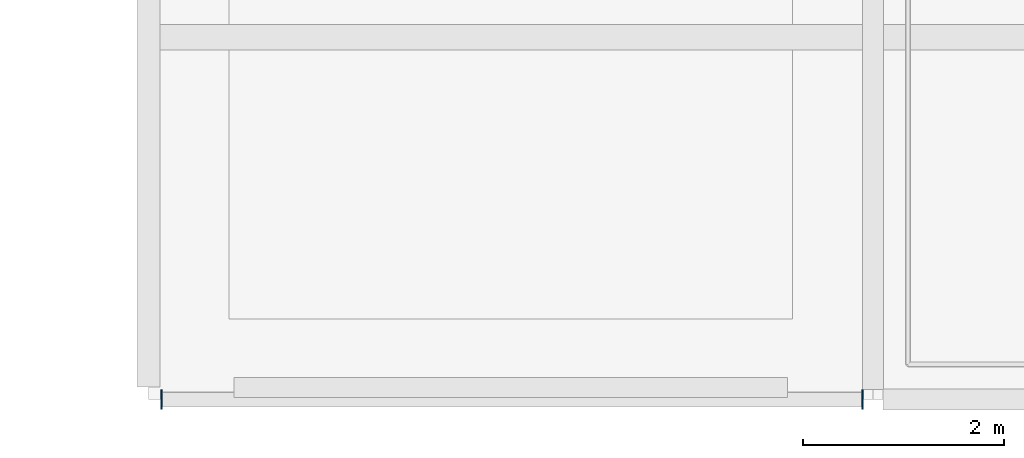
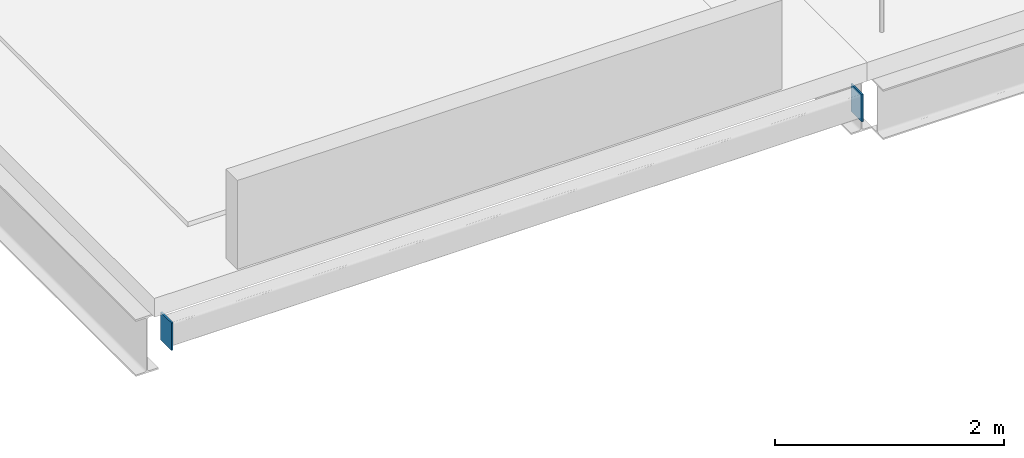
# One storey, part 27 of 45: 2 plates.
"""IFC4 building model written with IfcOpenShell, lengths in metres."""

from ifc_helpers import new_model, si_unit, direction, frame, origin, origin_2d, place, context, subcontext, project, spatial, rectangle, extrude, material, layer, layer_set, type_object, element, save


model = new_model("IFC4")

# Units and contexts
model_context = context("Model", 3, precision=1e-05, world=origin(), true_north=direction((0.0, 1.0)))
body_context = subcontext(model_context, "Body", "Model", "MODEL_VIEW")
ifc_project = project(units=[si_unit("LENGTHUNIT", "METRE"), si_unit("AREAUNIT", "SQUARE_METRE"), si_unit("VOLUMEUNIT", "CUBIC_METRE"), si_unit("PLANEANGLEUNIT", "RADIAN"), si_unit("MASSUNIT", "GRAM", prefix="KILO")], contexts=[model_context])

# Site, building, storey
site_placement = place(None, origin())
site = spatial("IfcSite", under=ifc_project, at=site_placement, CompositionType="ELEMENT")
building_placement = place(site_placement, origin())
building = spatial("IfcBuilding", under=site, at=building_placement, Name="Calvrana Isthmian Art Gallery", CompositionType="ELEMENT")
storey_placement = place(building_placement, frame((0.0, 0.0, 19.800048828125)))
storey = spatial("IfcBuildingStorey", under=building, at=storey_placement, Name="L04", CompositionType="ELEMENT", Elevation=19.800048828125)

# Plates
ifc_material = material(Name="Steel ASTM A572 Gr 50", Category="steel")
ifc_layer = layer(ifc_material, 0.01611328125, Name="Steel ASTM A572 Gr 50")
ifc_layer_set = layer_set([ifc_layer], Name="Steel ASTM A572 Gr 50")
plate_type = type_object("IfcPlateType", Name="PL-CAP-16", PredefinedType="SHEET", material=ifc_layer_set)
for number, where, z_axis, x_axis, name in (
    (1, (112.927001953125, 14.39990234375, -0.5390625), (0.0, 0.0, 1.0), (1.0, 0.0, 0.0), "Hollow section end cap plate 483"),
    (2, (119.8984375, 14.39990234375, -0.5390625), (0.0, 0.0, 1.0), (1.0, 0.0, 0.0), "Hollow section end cap plate 484"),
):
    element("IfcPlate", number, at=place(storey_placement, frame(where, z_axis=z_axis, x_axis=x_axis)), inside=storey, type_object=plate_type, Name=name, PredefinedType="SHEET", context=body_context, shape_type="SweptSolid", body=[
        extrude(rectangle(XDim=0.01611328125, YDim=0.1923828125, at=origin_2d()), origin(), (0.0, 0.0, 1.0), 0.2939453125),
    ])

save(model, "model.ifc")
